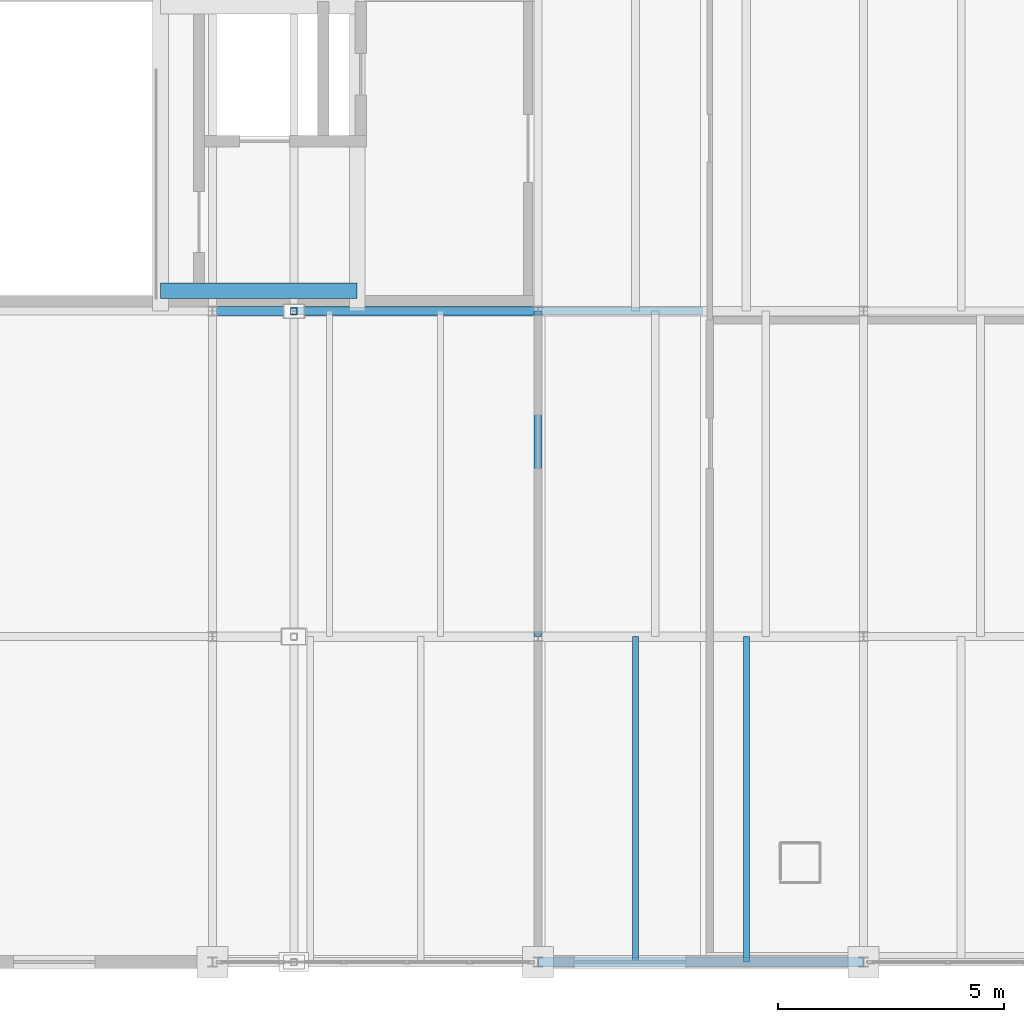
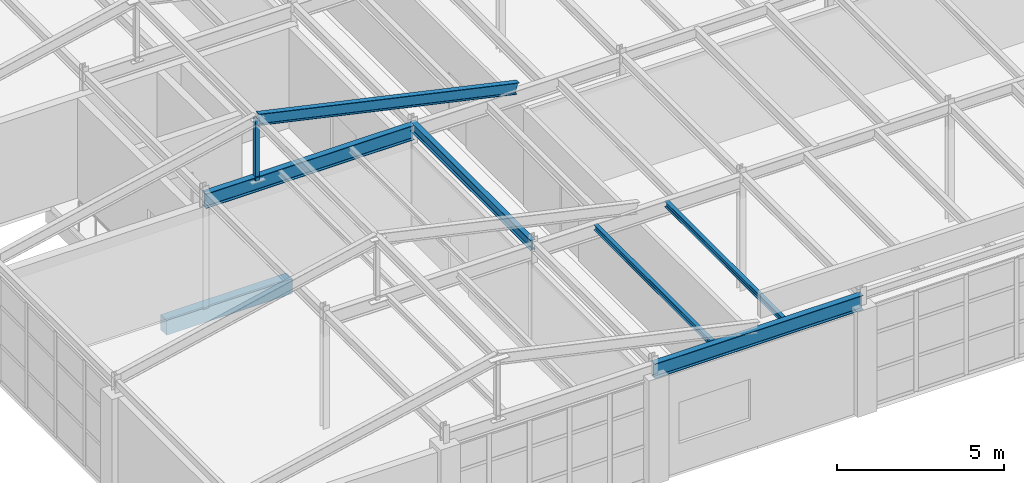
# One storey, part 11 of 43: 7 beams, 1 member.
"""IFC4 building model written with IfcOpenShell, lengths in metres."""

import ifcopenshell
import ifcopenshell.guid

model = None  # the IFC model being written
_history = None  # IfcOwnerHistory: only IFC2X3 demands one
_inside = {}  # id of a spatial element -> (the spatial element, [elements in it])
_under = {}  # id of a project, library or spatial element -> (it, [spatial elements below it])
_declared = {}  # id of a project -> (the project, [libraries it declares])
_typed = {}  # id of a type object -> (the type object, [elements of that type])
_made_of = {}  # id of a material, layer set ... -> (it, [elements and type objects made of it])


def new_model(schema):
    """Start an empty IFC model of exactly this schema.

    Asked for "IFC4X3", IfcOpenShell would pick the latest addendum, in which some entities
    have other attributes; the version numbers below select the first issue.
    IFC2X3 requires an IfcOwnerHistory on every rooted entity: one is made here for all.
    """
    global model, _history
    if schema == "IFC4X3":
        model = ifcopenshell.file(schema_version=(4, 3, 0, 0))
    else:
        model = ifcopenshell.file(schema=schema)
    _inside.clear()
    _under.clear()
    _declared.clear()
    _typed.clear()
    _made_of.clear()
    _history = None
    if model.schema == "IFC2X3":
        org = make("IfcOrganization", Name="unknown")
        user = make(
            "IfcPersonAndOrganization",
            ThePerson=make("IfcPerson", FamilyName="unknown"),
            TheOrganization=org,
        )
        app = make(
            "IfcApplication",
            ApplicationDeveloper=org,
            Version="unknown",
            ApplicationFullName="unknown",
            ApplicationIdentifier="unknown",
        )
        _history = make(
            "IfcOwnerHistory",
            OwningUser=user,
            OwningApplication=app,
            ChangeAction="ADDED",
            CreationDate=0,
        )
    return model


def make(cls, **values):
    """One entity of the class cls with the attributes given. An attribute that is None is left unset."""
    return model.create_entity(
        cls, **{name: value for name, value in values.items() if value is not None}
    )


def rooted(cls, **values):
    """An entity with a GlobalId (a new one), such as an element, a storey or a relation."""
    return make(cls, GlobalId=ifcopenshell.guid.new(), OwnerHistory=_history, **values)


def si_unit(unit_type, name, prefix=None):
    """IfcSIUnit, for example si_unit("LENGTHUNIT", "METRE", prefix="MILLI")."""
    return make("IfcSIUnit", UnitType=unit_type, Prefix=prefix, Name=name)


def assignment(units):
    """IfcUnitAssignment: the units of a project."""
    return None if units is None else make("IfcUnitAssignment", Units=units)


def point(xyz):
    """IfcCartesianPoint."""
    return None if xyz is None else make("IfcCartesianPoint", Coordinates=xyz)


def direction(xyz):
    """IfcDirection."""
    return None if xyz is None else make("IfcDirection", DirectionRatios=xyz)


def frame(location, z_axis=None, x_axis=None):
    """IfcAxis2Placement3D, a coordinate frame: its origin and axes. An axis left out is left unset."""
    return make(
        "IfcAxis2Placement3D",
        Location=point(location),
        Axis=direction(z_axis),
        RefDirection=direction(x_axis),
    )


def frame_2d(location, x_axis=None):
    """IfcAxis2Placement2D, a coordinate frame in the plane: its origin and x axis."""
    return make(
        "IfcAxis2Placement2D", Location=point(location), RefDirection=direction(x_axis)
    )


def origin():
    """The frame at (0, 0, 0) with its axes left unset."""
    return frame((0.0, 0.0, 0.0))


def origin_2d():
    """The frame at (0, 0) in the plane with its x axis left unset."""
    return frame_2d((0.0, 0.0))


def place(relative_to, where):
    """IfcLocalPlacement: puts the frame where relative to a parent placement (None: the world)."""
    return make(
        "IfcLocalPlacement", PlacementRelTo=relative_to, RelativePlacement=where
    )


def context(
    kind, dimensions, precision=None, world=None, true_north=None, identifier=None
):
    """IfcGeometricRepresentationContext, for example the 3D "Model" context."""
    return make(
        "IfcGeometricRepresentationContext",
        ContextIdentifier=identifier,
        ContextType=kind,
        CoordinateSpaceDimension=dimensions,
        Precision=precision,
        WorldCoordinateSystem=world,
        TrueNorth=true_north,
    )


def subcontext(parent, identifier, kind, view, scale=None):
    """IfcGeometricRepresentationSubContext, for example "Body" below "Model"."""
    return make(
        "IfcGeometricRepresentationSubContext",
        ContextIdentifier=identifier,
        ContextType=kind,
        ParentContext=parent,
        TargetScale=scale,
        TargetView=view,
    )


def project(units=None, contexts=None):
    """IfcProject with its units and contexts."""
    return rooted(
        "IfcProject",
        Name="project",
        RepresentationContexts=contexts,
        UnitsInContext=assignment(units),
    )


def spatial(cls, under=None, at=None, **own):
    """A site, building, storey or space (cls), placed at a placement, below another one or the project."""
    s = rooted(cls, ObjectPlacement=at, **own)
    if under is not None:
        _under.setdefault(under.id(), (under, []))[1].append(s)
    return s


def profile(cls, at=None, kind="AREA", **sizes):
    """A parametric profile (cls). Its sizes go by their IFC names, for example OverallWidth=200.0."""
    return make(cls, ProfileType=kind, Position=at, **sizes)


def rectangle(**sizes):
    """IfcRectangleProfileDef."""
    return profile("IfcRectangleProfileDef", **sizes)


def hollow_rectangle(**sizes):
    """IfcRectangleHollowProfileDef."""
    return profile("IfcRectangleHollowProfileDef", **sizes)


def i_section(**sizes):
    """IfcIShapeProfileDef."""
    return profile("IfcIShapeProfileDef", **sizes)


def extrude(swept, where, along, depth):
    """IfcExtrudedAreaSolid: the profile swept, set in the frame where, extruded along a direction by depth."""
    return make(
        "IfcExtrudedAreaSolid",
        SweptArea=swept,
        Position=where,
        ExtrudedDirection=direction(along),
        Depth=depth,
    )


def shape(context_of_items, identifier, shape_type, items):
    """IfcShapeRepresentation: the items that make up one representation, for example the "Body"."""
    return make(
        "IfcShapeRepresentation",
        ContextOfItems=context_of_items,
        RepresentationIdentifier=identifier,
        RepresentationType=shape_type,
        Items=items,
    )


def material(Name=None, Category=None):
    """IfcMaterial."""
    return make("IfcMaterial", Name=Name, Category=Category)


def material_profile(
    of_material, cross_section, Name=None, Category=None, Priority=None
):
    """IfcMaterialProfile: a cross section and its material."""
    return make(
        "IfcMaterialProfile",
        Name=Name,
        Material=of_material,
        Profile=cross_section,
        Priority=Priority,
        Category=Category,
    )


def profile_set(profiles, Name=None, composite=None):
    """IfcMaterialProfileSet."""
    return make(
        "IfcMaterialProfileSet",
        Name=Name,
        MaterialProfiles=profiles,
        CompositeProfile=composite,
    )


def made_of(thing, what):
    """Note that an element or type object is made of a material, layer set ...; save() writes the relation."""
    if what is not None:
        _made_of.setdefault(what.id(), (what, []))[1].append(thing)
    return thing


def type_object(cls, material=None, **own):
    """A type object (cls), such as IfcWallType, which elements share."""
    return made_of(rooted(cls, **own), material)


def element(
    cls,
    number,
    at=None,
    inside=None,
    cuts=None,
    type_object=None,
    material=None,
    context=None,
    identifier="Body",
    shape_type=None,
    held_by="IfcProductDefinitionShape",
    body=None,
    shapes=None,
    **own,
):
    """One element of the class cls, such as IfcWall. Its Tag is "e" and its number.

    at: its placement. inside: the storey or other place that contains it. cuts: it is an
    opening in that element (IfcRelVoidsElement). A single representation is given by context,
    identifier, shape_type and body (its items); several are given by shapes. held_by: the class
    of the entity that holds the representations. save() writes the other relations.
    """
    e = rooted(cls, Tag="e%d" % number, ObjectPlacement=at, **own)
    if body is not None:
        shapes = [shape(context, identifier, shape_type, body)]
    if shapes is not None:
        e.Representation = make(held_by, Representations=shapes)
    if inside is not None:
        _inside.setdefault(inside.id(), (inside, []))[1].append(e)
    if cuts is not None:
        rooted(
            "IfcRelVoidsElement", RelatingBuildingElement=cuts, RelatedOpeningElement=e
        )
    if type_object is not None:
        _typed.setdefault(type_object.id(), (type_object, []))[1].append(e)
    return made_of(e, material)


def aggregate(whole, parts):
    """IfcRelAggregates: a whole, such as a stair, and the parts it consists of."""
    return rooted("IfcRelAggregates", RelatingObject=whole, RelatedObjects=parts)


def save(model, path):
    """Write the relations noted so far, then the file.

    IfcRelAggregates (storeys below a building ...), IfcRelContainedInSpatialStructure (elements
    in a storey), IfcRelDefinesByType, IfcRelAssociatesMaterial and IfcRelDeclares: one each for
    every whole, place, type object, material and project.
    """
    for whole, parts in _under.values():
        aggregate(whole, parts)
    for where, things in _inside.values():
        rooted(
            "IfcRelContainedInSpatialStructure",
            RelatedElements=things,
            RelatingStructure=where,
        )
    for kind, things in _typed.values():
        rooted("IfcRelDefinesByType", RelatedObjects=things, RelatingType=kind)
    for what, things in _made_of.values():
        rooted("IfcRelAssociatesMaterial", RelatedObjects=things, RelatingMaterial=what)
    for by, libraries in _declared.values():
        rooted("IfcRelDeclares", RelatingContext=by, RelatedDefinitions=libraries)
    model.write(path)


model = new_model("IFC4")

# Units and contexts
model_context = context("Model", 3, precision=1e-05, world=origin(), true_north=direction((0.0, 1.0)))
body_context = subcontext(model_context, "Body", "Model", "MODEL_VIEW")
ifc_project = project(units=[si_unit("LENGTHUNIT", "METRE"), si_unit("AREAUNIT", "SQUARE_METRE"), si_unit("VOLUMEUNIT", "CUBIC_METRE"), si_unit("PLANEANGLEUNIT", "RADIAN"), si_unit("MASSUNIT", "GRAM", prefix="KILO")], contexts=[model_context])

# Site, building, storey
site_placement = place(None, origin())
site = spatial("IfcSite", under=ifc_project, at=site_placement, CompositionType="ELEMENT")
building_placement = place(site_placement, origin())
building = spatial("IfcBuilding", under=site, at=building_placement, Name="Kemerveld Promenade Tramway Depot", CompositionType="ELEMENT")
storey_placement = place(building_placement, frame((0.0, 0.0, 18.89990234375)))
storey = spatial("IfcBuildingStorey", under=building, at=storey_placement, Name="L04", CompositionType="ELEMENT", Elevation=18.89990234375)

# Beams
ifc_material_1 = material(Name="Steel S355", Category="steel")
ifc_material_profile_1 = material_profile(ifc_material_1, i_section(OverallWidth=0.2099609375, OverallDepth=0.53662109375, WebThickness=0.0107421875, FlangeThickness=0.017333984375, FilletRadius=0.0126953125, at=origin_2d()), Name="533x210x101 UB")
ifc_profile_set_1 = profile_set([ifc_material_profile_1], Name="Steel S355")
beam_type_1 = type_object("IfcBeamType", Name="BM-G05", PredefinedType="BEAM", material=ifc_profile_set_1)
beam_1_placement = place(storey_placement, frame((14.39990234375, 0.0, 3.94677734375), z_axis=(1.0, 0.0, 0.0), x_axis=(0.0, 1.0, 0.0)))
element("IfcBeam", 1, at=beam_1_placement, inside=storey, type_object=beam_type_1, Name="BMX-L04-03-04-A", PredefinedType="BEAM", context=body_context, shape_type="SweptSolid", body=[
    extrude(i_section(OverallWidth=0.2099609375, OverallDepth=0.53662109375, WebThickness=0.0107421875, FlangeThickness=0.017333984375, FilletRadius=0.0126953125, at=origin_2d()), origin(), (0.0, 0.0, 1.0), 7.2001953125),
])
beam_2_placement = place(storey_placement, frame((7.199951171875, 14.39990234375, 3.94677734375), z_axis=(1.0, 0.0, 0.0), x_axis=(0.0, 1.0, 0.0)))
element("IfcBeam", 2, at=beam_2_placement, inside=storey, type_object=beam_type_1, Name="BMX-L04-02-03-C", PredefinedType="BEAM", context=body_context, shape_type="SweptSolid", body=[
    extrude(i_section(OverallWidth=0.2099609375, OverallDepth=0.53662109375, WebThickness=0.0107421875, FlangeThickness=0.017333984375, FilletRadius=0.0126953125, at=origin_2d()), origin(), (0.0, 0.0, 1.0), 7.199951171875),
])
ifc_material_profile_2 = material_profile(ifc_material_1, i_section(OverallWidth=0.1787109375, OverallDepth=0.409423828125, WebThickness=0.0087890625, FlangeThickness=0.014404296875, FilletRadius=0.01025390625, at=origin_2d()), Name="406x178x67 UB")
ifc_profile_set_2 = profile_set([ifc_material_profile_2], Name="Steel S355")
beam_type_2 = type_object("IfcBeamType", Name="BM-G07", PredefinedType="BEAM", material=ifc_profile_set_2)
beam_3_placement = place(storey_placement, frame((9.0, 14.39990234375, 6.275390625), z_axis=(0.976187060184, 0.0, -0.216930457819), x_axis=(0.0, 1.0, 0.0)))
element("IfcBeam", 3, at=beam_3_placement, inside=storey, type_object=beam_type_2, Name="RAF-V5-C-E", PredefinedType="BEAM", context=body_context, shape_type="SweptSolid", body=[
    extrude(i_section(OverallWidth=0.1787109375, OverallDepth=0.409423828125, WebThickness=0.0087890625, FlangeThickness=0.014404296875, FilletRadius=0.01025390625, at=origin_2d()), origin(), (0.0, 0.0, 1.0), 9.219482421875),
])
ifc_material_profile_3 = material_profile(ifc_material_1, i_section(OverallWidth=0.172119140625, OverallDepth=0.35791015625, WebThickness=0.008056640625, FlangeThickness=0.012939453125, FilletRadius=0.01025390625, at=origin_2d()), Name="356x171x57 UB")
ifc_profile_set_3 = profile_set([ifc_material_profile_3], Name="Steel S355")
beam_type_3 = type_object("IfcBeamType", Name="BM-G08", PredefinedType="BEAM", material=ifc_profile_set_3)
beam_4_placement = place(storey_placement, frame((14.39990234375, 7.199951171875, 4.14111328125), z_axis=(0.0, 1.0, 0.0), x_axis=(-1.0, 0.0, 0.0)))
element("IfcBeam", 4, at=beam_4_placement, inside=storey, type_object=beam_type_3, Name="BMY-L04-03-B-C", PredefinedType="BEAM", context=body_context, shape_type="SweptSolid", body=[
    extrude(i_section(OverallWidth=0.172119140625, OverallDepth=0.35791015625, WebThickness=0.008056640625, FlangeThickness=0.012939453125, FilletRadius=0.01025390625, at=origin_2d()), origin(), (0.0, 0.0, 1.0), 7.199951171875),
])
ifc_material_profile_4 = material_profile(ifc_material_1, i_section(OverallWidth=0.13330078125, OverallDepth=0.203125, WebThickness=0.005615234375, FlangeThickness=0.0078125, FilletRadius=0.007568359375, at=origin_2d()), Name="203x133x25 UB")
ifc_profile_set_4 = profile_set([ifc_material_profile_4], Name="Steel S355")
beam_type_4 = type_object("IfcBeamType", Name="BM-J03", PredefinedType="JOIST", material=ifc_profile_set_4)
for number, where, z_axis, x_axis, name in (
    (5, (16.56005859375, 0.0, 4.053466796875), (0.0, 1.0, 0.0), (-1.0, 0.0, 0.0), "JST-L04-03-A-1"),
    (6, (19.008056640625, 0.0, 4.053466796875), (0.0, 1.0, 0.0), (-1.0, 0.0, 0.0), "JST-L04-03-A-2"),
):
    element("IfcBeam", number, at=place(storey_placement, frame(where, z_axis=z_axis, x_axis=x_axis)), inside=storey, type_object=beam_type_4, Name=name, PredefinedType="JOIST", context=body_context, shape_type="SweptSolid", body=[
        extrude(i_section(OverallWidth=0.13330078125, OverallDepth=0.203125, WebThickness=0.005615234375, FlangeThickness=0.0078125, FilletRadius=0.007568359375, at=origin_2d()), origin(), (0.0, 0.0, 1.0), 7.199951171875),
    ])
ifc_material_2 = material(Name="Concrete C40/50", Category="concrete")
ifc_material_profile_5 = material_profile(ifc_material_2, rectangle(XDim=0.35009765625, YDim=0.550048828125, at=origin_2d()), Name="RC-BM-350x550")
ifc_profile_set_5 = profile_set([ifc_material_profile_5], Name="Concrete C40/50")
beam_type_5 = type_object("IfcBeamType", Name="BM-RC3", PredefinedType="BEAM", material=ifc_profile_set_5)
beam_5_placement = place(storey_placement, frame((6.050048828125, 14.85009765625, -0.5), z_axis=(1.0, 0.0, 0.0), x_axis=(0.0, 1.0, 0.0)))
element("IfcBeam", 7, at=beam_5_placement, inside=storey, type_object=beam_type_5, Name="BM-COREX-C1-L04-S", PredefinedType="BEAM", context=body_context, shape_type="SweptSolid", body=[
    extrude(rectangle(XDim=0.35009765625, YDim=0.550048828125, at=origin_2d()), origin(), (0.0, 0.0, 1.0), 4.349853515625),
])

# Member
ifc_material_profile_6 = material_profile(ifc_material_1, hollow_rectangle(XDim=0.14990234375, YDim=0.14990234375, WallThickness=0.008056640625, InnerFilletRadius=0.00390625, OuterFilletRadius=0.011962890625, at=origin_2d()), Name="150x150x8.0 SHS")
ifc_profile_set_6 = profile_set([ifc_material_profile_6], Name="Steel S355")
member_type = type_object("IfcMemberType", Name="MB-TP2", PredefinedType="POST", material=ifc_profile_set_6)
member_placement = place(storey_placement, frame((9.0, 14.39990234375, 4.050048828125), z_axis=(0.0, 0.0, 1.0), x_axis=(1.0, 0.0, 0.0)))
element("IfcMember", 8, at=member_placement, inside=storey, type_object=member_type, Name="POST-RDG-V5-C", PredefinedType="POST", context=body_context, shape_type="SweptSolid", body=[
    extrude(hollow_rectangle(XDim=0.14990234375, YDim=0.14990234375, WallThickness=0.008056640625, InnerFilletRadius=0.00390625, OuterFilletRadius=0.011962890625, at=origin_2d()), origin(), (0.0, 0.0, 1.0), 2.265380859375),
])

save(model, "model.ifc")
